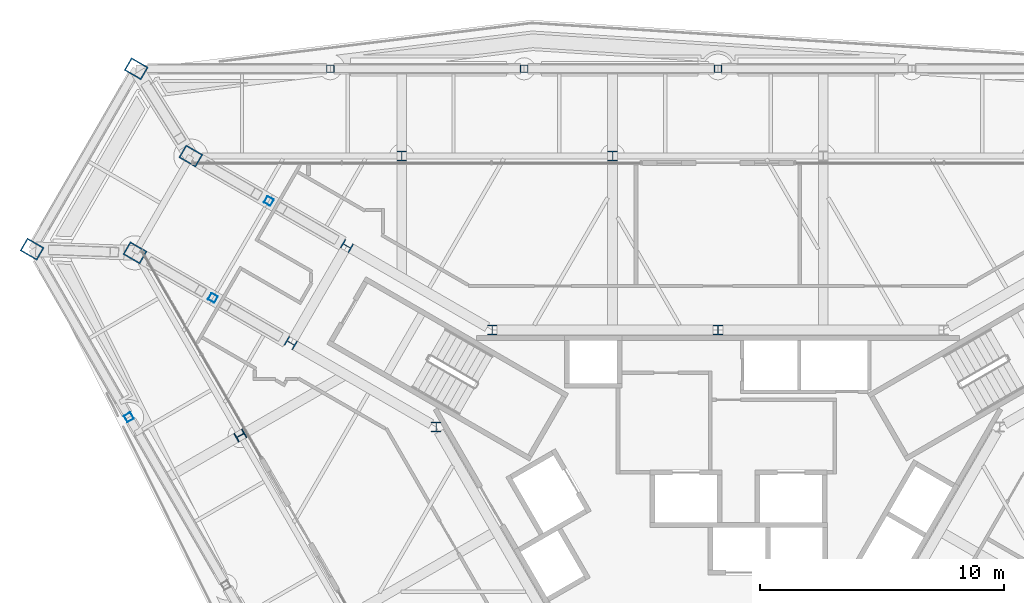
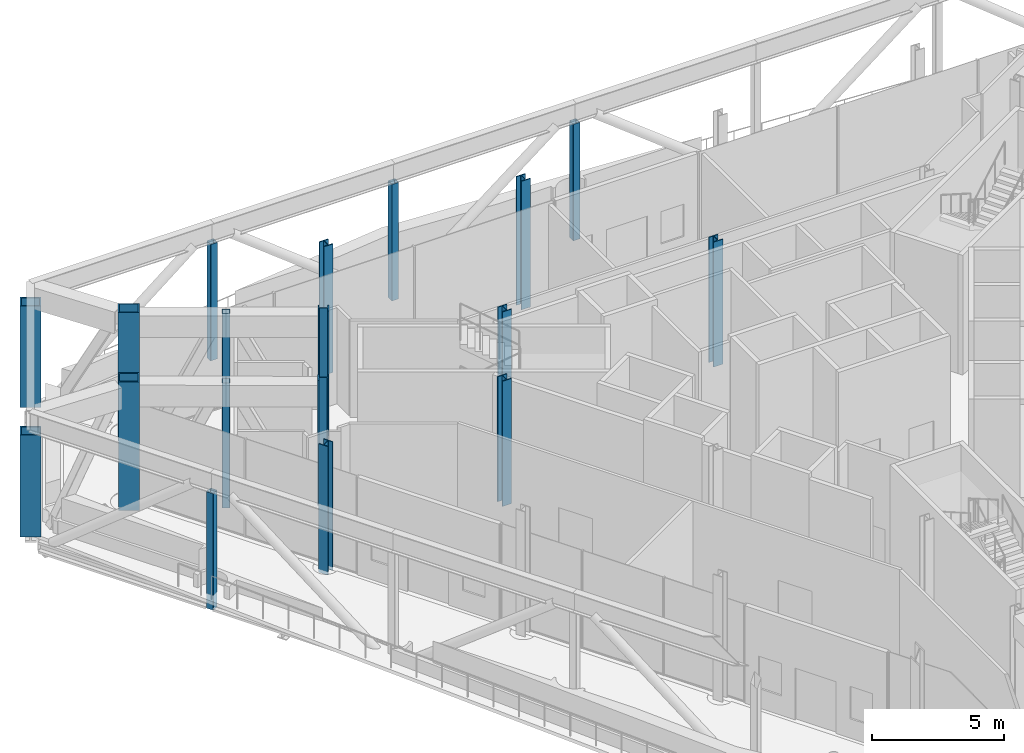
# One storey, part 3 of 24: 18 columns.
"""IFC4 building model written with IfcOpenShell, lengths in metres."""

from ifc_helpers import new_model, si_unit, direction, frame, origin, origin_2d, place, context, subcontext, project, spatial, hollow_rectangle, i_section, extrude, material, material_profile, profile_set, type_object, element, save


model = new_model("IFC4")

# Units and contexts
model_context = context("Model", 3, precision=1e-05, world=origin(), true_north=direction((0.0, 1.0)))
body_context = subcontext(model_context, "Body", "Model", "MODEL_VIEW")
ifc_project = project(units=[si_unit("LENGTHUNIT", "METRE"), si_unit("AREAUNIT", "SQUARE_METRE"), si_unit("VOLUMEUNIT", "CUBIC_METRE"), si_unit("PLANEANGLEUNIT", "RADIAN"), si_unit("MASSUNIT", "GRAM", prefix="KILO")], contexts=[model_context])

# Site, building, storey
site_placement = place(None, origin())
site = spatial("IfcSite", under=ifc_project, at=site_placement, CompositionType="ELEMENT")
building_placement = place(site_placement, origin())
building = spatial("IfcBuilding", under=site, at=building_placement, Name="Verrane Prism Tower", CompositionType="ELEMENT")
storey_placement = place(building_placement, frame((0.0, 0.0, 200.60009765625)))
storey = spatial("IfcBuildingStorey", under=building, at=storey_placement, Name="L50", CompositionType="ELEMENT", Elevation=200.60009765625)

# Columns
ifc_material_1 = material(Name="Steel A500 Grade C", Category="steel")
ifc_material_profile_1 = material_profile(ifc_material_1, hollow_rectangle(XDim=0.3046875, YDim=0.3046875, WallThickness=0.0126953125, InnerFilletRadius=0.00634765625, OuterFilletRadius=0.01904296875, at=origin_2d()), Name="HSS12x12x1/2")
ifc_profile_set_1 = profile_set([ifc_material_profile_1], Name="Steel A500 Grade C")
column_type_1 = type_object("IfcColumnType", Name="Belt truss post HSS12x12x1/2", PredefinedType="COLUMN", material=ifc_profile_set_1)
for number, where, z_axis, x_axis, name in (
    (1, (0.0, 18.7099609375, -0.690185546875), (0.0, 0.0, 1.0), (1.0, 0.0, 0.0), "Belt truss post L50"),
    (2, (-7.949951171875, 18.7099609375, -0.690185546875), (0.0, 0.0, 1.0), (1.0, 0.0, 0.0), "Belt truss post L50"),
    (3, (-15.89990234375, 18.7099609375, -0.690185546875), (0.0, 0.0, 1.0), (1.0, 0.0, 0.0), "Belt truss post L50"),
    (4, (-24.159912109375, 4.419921875, -0.690185546875), (0.0, 0.0, 1.0), (-0.5, 0.866025403784, 0.0), "Belt truss post L50"),
):
    element("IfcColumn", number, at=place(storey_placement, frame(where, z_axis=z_axis, x_axis=x_axis)), inside=storey, type_object=column_type_1, Name=name, PredefinedType="COLUMN", context=body_context, shape_type="SweptSolid", body=[
        extrude(hollow_rectangle(XDim=0.3046875, YDim=0.3046875, WallThickness=0.0126953125, InnerFilletRadius=0.00634765625, OuterFilletRadius=0.01904296875, at=origin_2d()), origin(), (0.0, 0.0, 1.0), 5.400146484375),
    ])
ifc_material_2 = material(Name="Steel A992", Category="steel")
ifc_material_profile_2 = material_profile(ifc_material_2, i_section(OverallWidth=0.406494140625, OverallDepth=0.41650390625, WebThickness=0.030029296875, FlangeThickness=0.048095703125, FilletRadius=0.01513671875, at=origin_2d()), Name="W14x257")
ifc_profile_set_2 = profile_set([ifc_material_profile_2], Name="Steel A992")
column_type_2 = type_object("IfcColumnType", Name="Core corner column W14x257", PredefinedType="COLUMN", material=ifc_profile_set_2)
for number, where, z_axis, x_axis, name in (
    (5, (-15.219970703125, 11.43994140625, 0.0), (0.0, 0.0, 1.0), (0.5, 0.866025403784, 0.0), "Core corner column CK-NWm L50"),
    (6, (-17.52001953125, 7.4599609375, 0.0), (0.0, 0.0, 1.0), (0.5, 0.866025403784, 0.0), "Core corner column CK-NWp L50"),
):
    element("IfcColumn", number, at=place(storey_placement, frame(where, z_axis=z_axis, x_axis=x_axis)), inside=storey, type_object=column_type_2, Name=name, PredefinedType="COLUMN", context=body_context, shape_type="SweptSolid", body=[
        extrude(i_section(OverallWidth=0.406494140625, OverallDepth=0.41650390625, WebThickness=0.030029296875, FlangeThickness=0.048095703125, FilletRadius=0.01513671875, at=origin_2d()), origin(), (0.0, 0.0, 1.0), 5.7998046875),
    ])
ifc_material_3 = material(Name="Steel A992", Category="steel")
ifc_material_profile_3 = material_profile(ifc_material_3, i_section(OverallWidth=0.4013671875, OverallDepth=0.398681640625, WebThickness=0.02490234375, FlangeThickness=0.03955078125, FilletRadius=0.01513671875, at=origin_2d()), Name="W14x211")
ifc_profile_set_3 = profile_set([ifc_material_profile_3], Name="Steel A992")
column_type_3 = type_object("IfcColumnType", Name="Core side column W14x211", PredefinedType="COLUMN", material=ifc_profile_set_3)
for number, where, z_axis, x_axis, name in (
    (7, (0.0, 8.0, 0.0), (0.0, 0.0, 1.0), (1.0, 0.0, 0.0), "Core side column CC-N0 L50"),
    (8, (-9.260009765625, 8.0, 0.0), (0.0, 0.0, 1.0), (1.0, 0.0, 0.0), "Core side column CC-NWm L50"),
    (9, (-11.56005859375, 4.02001953125, 0.0), (0.0, 0.0, 1.0), (1.0, 0.0, 0.0), "Core side column CC-NWp L50"),
):
    element("IfcColumn", number, at=place(storey_placement, frame(where, z_axis=z_axis, x_axis=x_axis)), inside=storey, type_object=column_type_3, Name=name, PredefinedType="COLUMN", context=body_context, shape_type="SweptSolid", body=[
        extrude(i_section(OverallWidth=0.4013671875, OverallDepth=0.398681640625, WebThickness=0.02490234375, FlangeThickness=0.03955078125, FilletRadius=0.01513671875, at=origin_2d()), origin(), (0.0, 0.0, 1.0), 5.7998046875),
    ])
ifc_material_4 = material(Name="Steel A572 Grade 50", Category="steel")
ifc_material_profile_4 = material_profile(ifc_material_4, hollow_rectangle(XDim=0.60009765625, YDim=0.800048828125, WallThickness=0.050048828125, at=origin_2d()), Name="BOX 800x600x50")
ifc_profile_set_4 = profile_set([ifc_material_profile_4], Name="Steel A572 Grade 50")
column_type_4 = type_object("IfcColumnType", Name="Megacolumn BOX 800x600x50", PredefinedType="COLUMN", material=ifc_profile_set_4)
column_1_placement = place(storey_placement, frame((-23.860107421875, 18.7099609375, 0.0), z_axis=(0.0, 0.0, 1.0), x_axis=(0.5, 0.866025403784, 0.0)))
element("IfcColumn", 10, at=column_1_placement, inside=storey, type_object=column_type_4, Name="Megacolumn MC-NW.a@out L50", PredefinedType="COLUMN", context=body_context, shape_type="SweptSolid", body=[
    extrude(hollow_rectangle(XDim=0.60009765625, YDim=0.800048828125, WallThickness=0.050048828125, at=origin_2d()), origin(), (0.0, 0.0, 1.0), 4.7099609375),
])
column_2_placement = place(storey_placement, frame((-21.6201171875, 15.1298828125, -0.16015625), z_axis=(0.0, 0.0, 1.0), x_axis=(0.5, 0.866025403784, 0.0)))
element("IfcColumn", 11, at=column_2_placement, inside=storey, type_object=column_type_4, Name="Megacolumn MC-NW.a L50", PredefinedType="COLUMN", context=body_context, shape_type="SweptSolid", body=[
    extrude(hollow_rectangle(XDim=0.60009765625, YDim=0.800048828125, WallThickness=0.050048828125, at=origin_2d()), origin(), (0.0, 0.0, 1.0), 5.9599609375),
])
column_3_placement = place(storey_placement, frame((-28.1298828125, 11.31005859375, 0.0), z_axis=(0.0, 0.0, 1.0), x_axis=(0.5, 0.866025403784, 0.0)))
element("IfcColumn", 12, at=column_3_placement, inside=storey, type_object=column_type_4, Name="Megacolumn MC-NW.b@out L50", PredefinedType="COLUMN", context=body_context, shape_type="SweptSolid", body=[
    extrude(hollow_rectangle(XDim=0.60009765625, YDim=0.800048828125, WallThickness=0.050048828125, at=origin_2d()), origin(), (0.0, 0.0, 1.0), 4.7099609375),
])
column_4_placement = place(storey_placement, frame((-23.909912109375, 11.159912109375, -0.16015625), z_axis=(0.0, 0.0, 1.0), x_axis=(0.5, 0.866025403784, 0.0)))
element("IfcColumn", 13, at=column_4_placement, inside=storey, type_object=column_type_4, Name="Megacolumn MC-NW.b L50", PredefinedType="COLUMN", context=body_context, shape_type="SweptSolid", body=[
    extrude(hollow_rectangle(XDim=0.60009765625, YDim=0.800048828125, WallThickness=0.050048828125, at=origin_2d()), origin(), (0.0, 0.0, 1.0), 5.9599609375),
])
ifc_material_5 = material(Name="Steel A500 Grade C", Category="steel")
ifc_material_profile_5 = material_profile(ifc_material_5, hollow_rectangle(XDim=0.3046875, YDim=0.3046875, WallThickness=0.0126953125, InnerFilletRadius=0.00634765625, OuterFilletRadius=0.01904296875, at=origin_2d()), Name="HSS12x12x1/2")
ifc_profile_set_5 = profile_set([ifc_material_profile_5], Name="Steel A500 Grade C")
column_type_5 = type_object("IfcColumnType", Name="Outrigger truss post HSS12x12x1/2", PredefinedType="COLUMN", material=ifc_profile_set_5)
for number, where, z_axis, x_axis, name in (
    (14, (-18.419921875, 13.284912109375, -0.16015625), (0.0, 0.0, 1.0), (-0.499487514192, -0.866321085491, 0.0), "Outrigger truss post L50"),
    (15, (-20.715087890625, 9.31005859375, -0.16015625), (0.0, 0.0, 1.0), (-0.501089394949, -0.865395527068, 0.0), "Outrigger truss post L50"),
):
    element("IfcColumn", number, at=place(storey_placement, frame(where, z_axis=z_axis, x_axis=x_axis)), inside=storey, type_object=column_type_5, Name=name, PredefinedType="COLUMN", context=body_context, shape_type="SweptSolid", body=[
        extrude(hollow_rectangle(XDim=0.3046875, YDim=0.3046875, WallThickness=0.0126953125, InnerFilletRadius=0.00634765625, OuterFilletRadius=0.01904296875, at=origin_2d()), origin(), (0.0, 0.0, 1.0), 5.800048828125),
    ])
ifc_material_6 = material(Name="Steel A992", Category="steel")
ifc_material_profile_6 = material_profile(ifc_material_6, i_section(OverallWidth=0.4013671875, OverallDepth=0.398681640625, WebThickness=0.02490234375, FlangeThickness=0.03955078125, FilletRadius=0.01513671875, at=origin_2d()), Name="W14x211")
ifc_profile_set_6 = profile_set([ifc_material_profile_6], Name="Steel A992")
column_type_6 = type_object("IfcColumnType", Name="Perimeter column W14x211", PredefinedType="COLUMN", material=ifc_profile_set_6)
for number, where, z_axis, x_axis, name in (
    (16, (-4.320068359375, 15.1298828125, -0.16015625), (0.0, 0.0, 1.0), (1.0, 0.0, 0.0), "Perimeter column PC-N3 L50"),
    (17, (-12.969970703125, 15.1298828125, -0.16015625), (0.0, 0.0, 1.0), (1.0, 0.0, 0.0), "Perimeter column PC-N4 L50"),
    (18, (-19.590087890625, 3.669921875, -0.16015625), (0.0, 0.0, 1.0), (-0.5, 0.866025403784, 0.0), "Perimeter column PC-SW1 L50"),
):
    element("IfcColumn", number, at=place(storey_placement, frame(where, z_axis=z_axis, x_axis=x_axis)), inside=storey, type_object=column_type_6, Name=name, PredefinedType="COLUMN", context=body_context, shape_type="SweptSolid", body=[
        extrude(i_section(OverallWidth=0.4013671875, OverallDepth=0.398681640625, WebThickness=0.02490234375, FlangeThickness=0.03955078125, FilletRadius=0.01513671875, at=origin_2d()), origin(), (0.0, 0.0, 1.0), 5.9599609375),
    ])

save(model, "model.ifc")
